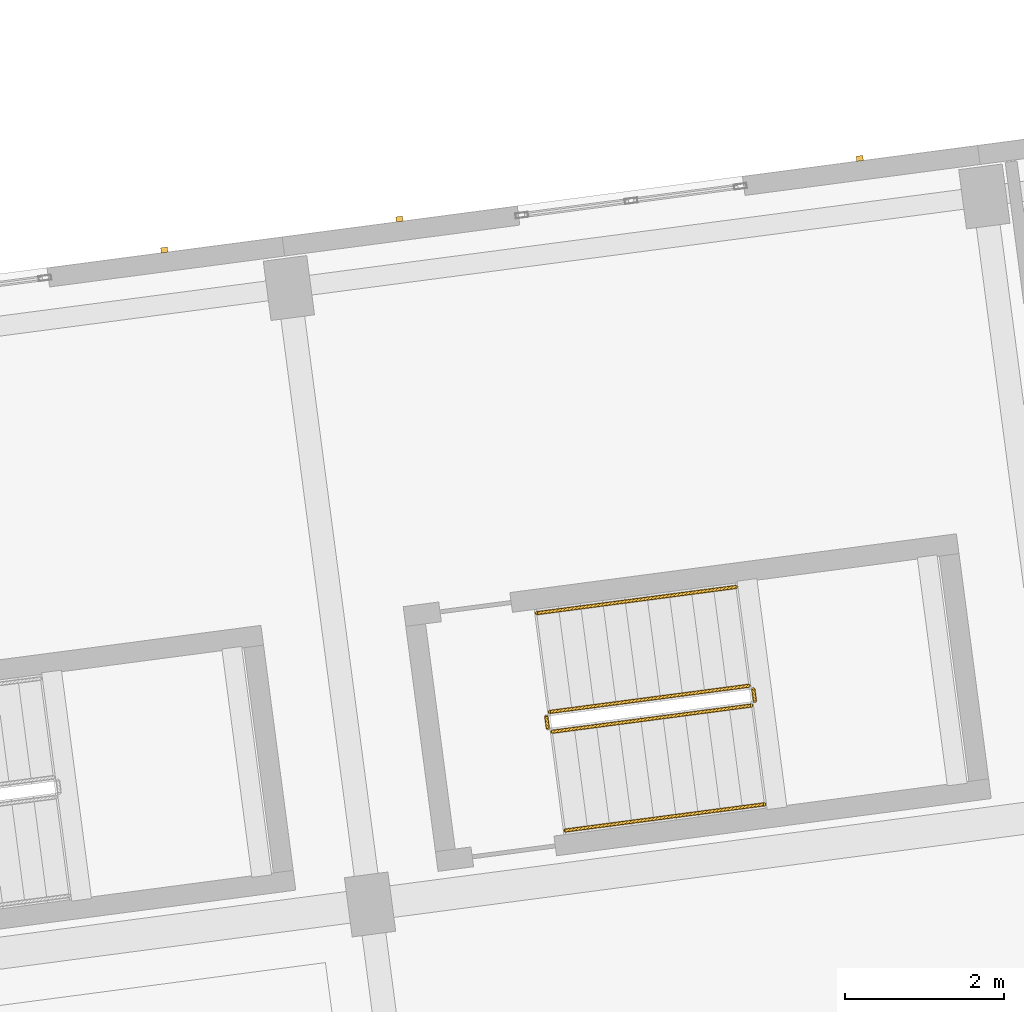
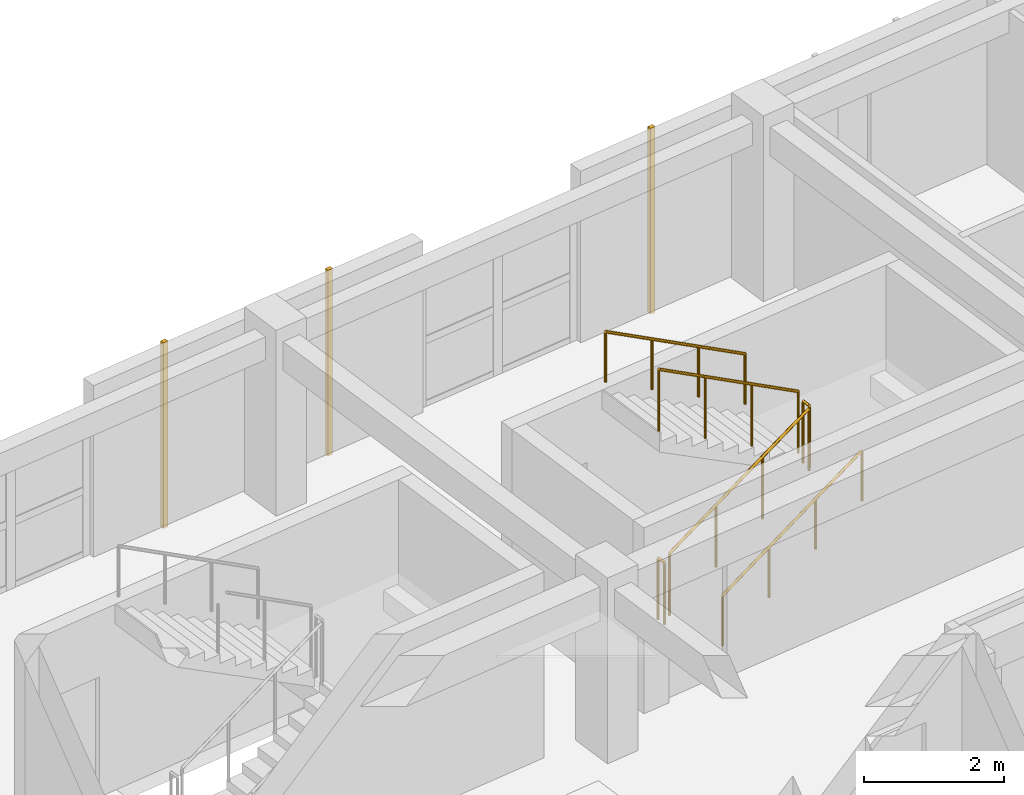
# One storey, part 43 of 64: 6 railings, 3 coverings.
"""IFC4 building model written with IfcOpenShell, lengths in metres."""

from ifc_helpers import new_model, si_unit, direction, frame, origin, origin_2d, place, context, subcontext, project, spatial, rectangle, circle, extrude, material, layer, layer_set, type_object, element, save


model = new_model("IFC4")

# Units and contexts
model_context = context("Model", 3, precision=1e-05, world=origin(), true_north=direction((0.0, 1.0)))
body_context = subcontext(model_context, "Body", "Model", "MODEL_VIEW")
ifc_project = project(units=[si_unit("LENGTHUNIT", "METRE"), si_unit("AREAUNIT", "SQUARE_METRE"), si_unit("VOLUMEUNIT", "CUBIC_METRE"), si_unit("PLANEANGLEUNIT", "RADIAN"), si_unit("MASSUNIT", "GRAM", prefix="KILO")], contexts=[model_context])

# Site, building, storey
site_placement = place(None, origin())
site = spatial("IfcSite", under=ifc_project, at=site_placement, CompositionType="ELEMENT")
building_placement = place(site_placement, origin())
building = spatial("IfcBuilding", under=site, at=building_placement, Name="Kestramere Prow Commons", CompositionType="ELEMENT")
storey_placement = place(building_placement, frame((0.0, 0.0, 24.64990234375)))
storey = spatial("IfcBuildingStorey", under=building, at=storey_placement, Name="L07", CompositionType="ELEMENT", Elevation=24.64990234375)

# Coverings
ifc_material_1 = material(Name="Weathered Zinc-Titanium Standing-Seam Cladding")
ifc_layer = layer(ifc_material_1, 0.074951171875)
ifc_layer_set = layer_set([ifc_layer], Name="Weathered Zinc-Titanium Standing-Seam Cladding")
covering_type = type_object("IfcCoveringType", Name="COV-CLAD-SEAM", PredefinedType="CLADDING", material=ifc_layer_set)
for number, where, z_axis, x_axis, name in (
    (1, (24.4755859375, 94.603759765625, -0.25), (0.0, 0.0, 1.0), (0.991444861374, 0.13052619222, 0.0), "EW-A-L07-NP-1-R Standing-Seam Rib 1"),
    (2, (27.42529296875, 94.991943359375, -0.25), (0.0, 0.0, 1.0), (0.991444861374, 0.13052619222, 0.0), "EW-A-L07-NP-2-L Standing-Seam Rib 1"),
    (3, (33.200439453125, 95.75244140625, -0.25), (0.0, 0.0, 1.0), (0.991444861374, 0.13052619222, 0.0), "EW-A-L07-NP-2-R Standing-Seam Rib 1"),
):
    element("IfcCovering", number, at=place(storey_placement, frame(where, z_axis=z_axis, x_axis=x_axis)), inside=storey, type_object=covering_type, Name=name, PredefinedType="CLADDING", context=body_context, shape_type="SweptSolid", body=[
        extrude(rectangle(XDim=0.0849609375, YDim=0.06494140625, at=origin_2d()), origin(), (0.0, 0.0, 1.0), 3.25),
    ])

# Railings
ifc_material_2 = material(Name="Galvanised Steel S275JR", Category="steel")
railing_type_1 = type_object("IfcRailingType", Name="RL-ST-GR-1100", PredefinedType="GUARDRAIL", material=ifc_material_2)
railing_1_placement = place(storey_placement, frame((29.34375, 88.559814453125, 0.16259765625)))
element("IfcRailing", 4, at=railing_1_placement, inside=storey, type_object=railing_type_1, Name="L07 ST-A2 stair guard 1", PredefinedType="GUARDRAIL", context=body_context, shape_type="SweptSolid", body=[
    extrude(circle(Radius=0.02392578125, at=origin_2d()), frame((0.0, 0.0, 1.076171875), z_axis=(0.857492745196, 0.112958098361, 0.501942885148), x_axis=(-0.130602379397, 0.991434828164, 0.0)), (0.0, 0.0, 1.0), 2.91357421875),
    extrude(circle(Radius=0.02099609375, at=origin_2d()), origin(), (0.0, 0.0, 1.0), 1.052001953125),
    extrude(circle(Radius=0.02099609375, at=origin_2d()), frame((0.832763671875, 0.109619140625, 0.487548828125)), (0.0, 0.0, 1.0), 1.052001953125),
    extrude(circle(Radius=0.02099609375, at=origin_2d()), frame((1.66552734375, 0.219482421875, 0.974853515625)), (0.0, 0.0, 1.0), 1.052001953125),
    extrude(circle(Radius=0.02099609375, at=origin_2d()), frame((2.498291015625, 0.3291015625, 1.46240234375)), (0.0, 0.0, 1.0), 1.052001953125),
])
railing_2_placement = place(storey_placement, frame((31.88525390625, 88.94482421875, 1.625)))
element("IfcRailing", 5, at=railing_2_placement, inside=storey, type_object=railing_type_1, Name="L07 ST-A2 stair guard 2", PredefinedType="GUARDRAIL", context=body_context, shape_type="SweptSolid", body=[
    extrude(circle(Radius=0.02392578125, at=origin_2d()), frame((0.0, 0.0, 1.076171875), z_axis=(-0.1300340368, 0.991509530601, 0.0), x_axis=(-0.991509530601, -0.1300340368, 0.0)), (0.0, 0.0, 1.0), 0.150146484375),
    extrude(circle(Radius=0.02099609375, at=origin_2d()), origin(), (0.0, 0.0, 1.0), 1.052001953125),
    extrude(circle(Radius=0.02099609375, at=origin_2d()), frame((-0.01953125, 0.14892578125, 0.0)), (0.0, 0.0, 1.0), 1.052001953125),
])
railing_3_placement = place(storey_placement, frame((31.8095703125, 89.13671875, 1.78759765625)))
element("IfcRailing", 6, at=railing_3_placement, inside=storey, type_object=railing_type_1, Name="L07 ST-A2 stair guard 3", PredefinedType="GUARDRAIL", context=body_context, shape_type="SweptSolid", body=[
    extrude(circle(Radius=0.02392578125, at=origin_2d()), frame((0.0, 0.0, 1.076171875), z_axis=(-0.85752303711, -0.112867259233, 0.501911568525), x_axis=(0.130494608992, -0.991449018873, 0.0)), (0.0, 0.0, 1.0), 2.91357421875),
    extrude(circle(Radius=0.02099609375, at=origin_2d()), origin(), (0.0, 0.0, 1.0), 1.052001953125),
    extrude(circle(Radius=0.02099609375, at=origin_2d()), frame((-0.832763671875, -0.109619140625, 0.487548828125)), (0.0, 0.0, 1.0), 1.052001953125),
    extrude(circle(Radius=0.02099609375, at=origin_2d()), frame((-1.665771484375, -0.21923828125, 0.974853515625)), (0.0, 0.0, 1.0), 1.052001953125),
    extrude(circle(Radius=0.02099609375, at=origin_2d()), frame((-2.49853515625, -0.328857421875, 1.46240234375)), (0.0, 0.0, 1.0), 1.052001953125),
])
railing_4_placement = place(storey_placement, frame((29.28759765625, 88.60302734375, 0.0)))
element("IfcRailing", 7, at=railing_4_placement, inside=storey, type_object=railing_type_1, Name="L07 ST-A2 stair guard 4", PredefinedType="GUARDRAIL", context=body_context, shape_type="SweptSolid", body=[
    extrude(circle(Radius=0.02392578125, at=origin_2d()), frame((0.0, 0.0, 1.076171875), z_axis=(-0.130243938252, 0.991481979941, 0.0), x_axis=(-0.991481979941, -0.130243938252, 0.0)), (0.0, 0.0, 1.0), 0.14990234375),
    extrude(circle(Radius=0.02099609375, at=origin_2d()), origin(), (0.0, 0.0, 1.0), 1.052001953125),
    extrude(circle(Radius=0.02099609375, at=origin_2d()), frame((-0.01953125, 0.148681640625, 0.0)), (0.0, 0.0, 1.0), 1.052001953125),
])
ifc_material_3 = material(Name="Stainless Steel 304", Category="steel")
railing_type_2 = type_object("IfcRailingType", Name="RL-ST-HR-900", PredefinedType="HANDRAIL", material=ifc_material_3)
railing_5_placement = place(storey_placement, frame((29.5068359375, 87.320556640625, 0.3251953125)))
element("IfcRailing", 8, at=railing_5_placement, inside=storey, type_object=railing_type_2, Name="L07 ST-A2 stair handrail 1", PredefinedType="HANDRAIL", context=body_context, shape_type="SweptSolid", body=[
    extrude(circle(Radius=0.02392578125, at=origin_2d()), frame((0.0, 0.0, 0.8759765625), z_axis=(0.85752303711, 0.112867259233, 0.501911568525), x_axis=(-0.130494608992, 0.991449018873, 0.0)), (0.0, 0.0, 1.0), 2.91357421875),
    extrude(circle(Radius=0.02099609375, at=origin_2d()), origin(), (0.0, 0.0, 1.0), 0.851806640625),
    extrude(circle(Radius=0.02099609375, at=origin_2d()), frame((0.832763671875, 0.109619140625, 0.487548828125)), (0.0, 0.0, 1.0), 0.851806640625),
    extrude(circle(Radius=0.02099609375, at=origin_2d()), frame((1.665771484375, 0.21923828125, 0.974853515625)), (0.0, 0.0, 1.0), 0.851806640625),
    extrude(circle(Radius=0.02099609375, at=origin_2d()), frame((2.49853515625, 0.328857421875, 1.46240234375)), (0.0, 0.0, 1.0), 0.851806640625),
])
railing_6_placement = place(storey_placement, frame((31.646484375, 90.3759765625, 1.9501953125)))
element("IfcRailing", 9, at=railing_6_placement, inside=storey, type_object=railing_type_2, Name="L07 ST-A2 stair handrail 2", PredefinedType="HANDRAIL", context=body_context, shape_type="SweptSolid", body=[
    extrude(circle(Radius=0.02392578125, at=origin_2d()), frame((0.0, 0.0, 0.8759765625), z_axis=(-0.85752303711, -0.112867259233, 0.501911568525), x_axis=(0.130494608992, -0.991449018873, 0.0)), (0.0, 0.0, 1.0), 2.91357421875),
    extrude(circle(Radius=0.02099609375, at=origin_2d()), origin(), (0.0, 0.0, 1.0), 0.851806640625),
    extrude(circle(Radius=0.02099609375, at=origin_2d()), frame((-0.832763671875, -0.109619140625, 0.487548828125)), (0.0, 0.0, 1.0), 0.851806640625),
    extrude(circle(Radius=0.02099609375, at=origin_2d()), frame((-1.665771484375, -0.21923828125, 0.974853515625)), (0.0, 0.0, 1.0), 0.851806640625),
    extrude(circle(Radius=0.02099609375, at=origin_2d()), frame((-2.49853515625, -0.328857421875, 1.46240234375)), (0.0, 0.0, 1.0), 0.851806640625),
])

save(model, "model.ifc")
